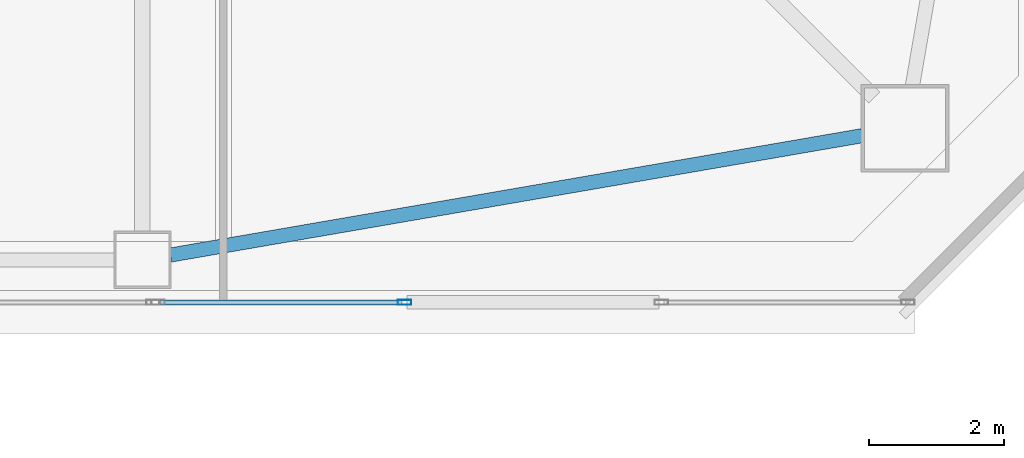
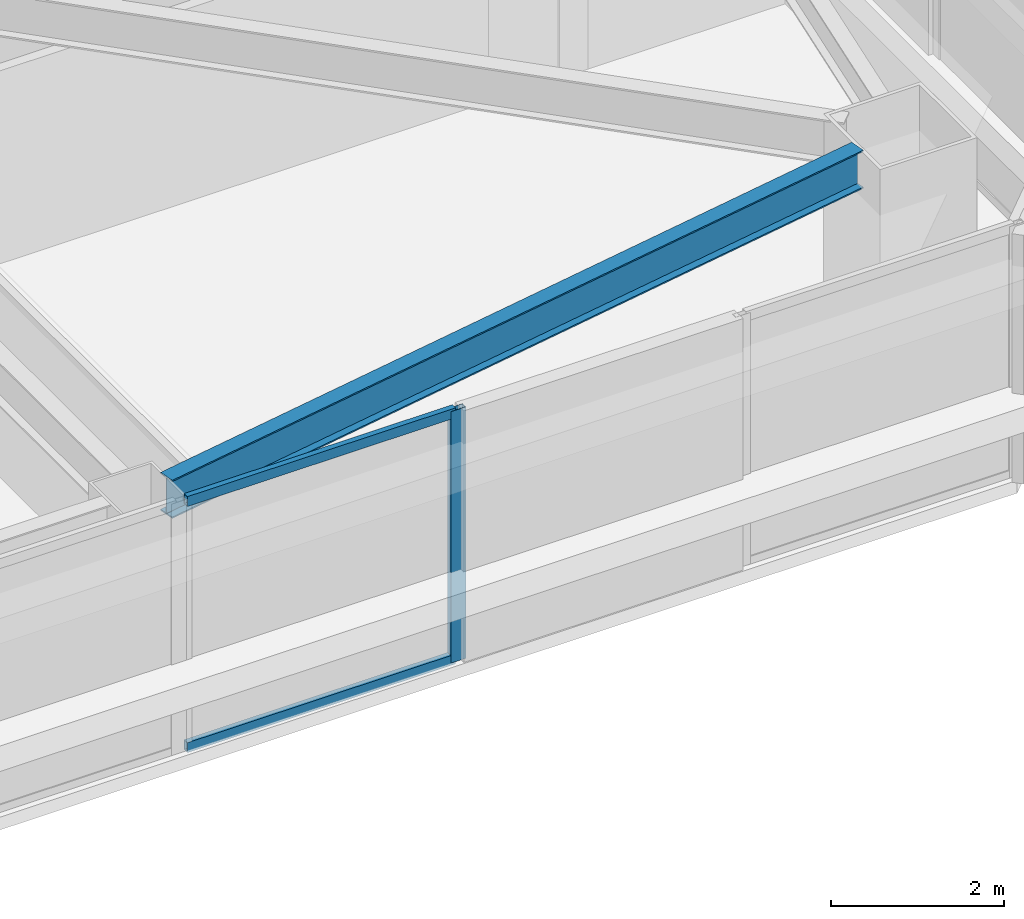
# One storey, part 6 of 46: 3 members, 1 beam, 1 element without a shape of its own.
"""IFC4 building model written with IfcOpenShell, lengths in metres."""

import ifcopenshell
import ifcopenshell.guid

model = None  # the IFC model being written
_history = None  # IfcOwnerHistory: only IFC2X3 demands one
_inside = {}  # id of a spatial element -> (the spatial element, [elements in it])
_under = {}  # id of a project, library or spatial element -> (it, [spatial elements below it])
_declared = {}  # id of a project -> (the project, [libraries it declares])
_typed = {}  # id of a type object -> (the type object, [elements of that type])
_made_of = {}  # id of a material, layer set ... -> (it, [elements and type objects made of it])


def new_model(schema):
    """Start an empty IFC model of exactly this schema.

    Asked for "IFC4X3", IfcOpenShell would pick the latest addendum, in which some entities
    have other attributes; the version numbers below select the first issue.
    IFC2X3 requires an IfcOwnerHistory on every rooted entity: one is made here for all.
    """
    global model, _history
    if schema == "IFC4X3":
        model = ifcopenshell.file(schema_version=(4, 3, 0, 0))
    else:
        model = ifcopenshell.file(schema=schema)
    _inside.clear()
    _under.clear()
    _declared.clear()
    _typed.clear()
    _made_of.clear()
    _history = None
    if model.schema == "IFC2X3":
        org = make("IfcOrganization", Name="unknown")
        user = make(
            "IfcPersonAndOrganization",
            ThePerson=make("IfcPerson", FamilyName="unknown"),
            TheOrganization=org,
        )
        app = make(
            "IfcApplication",
            ApplicationDeveloper=org,
            Version="unknown",
            ApplicationFullName="unknown",
            ApplicationIdentifier="unknown",
        )
        _history = make(
            "IfcOwnerHistory",
            OwningUser=user,
            OwningApplication=app,
            ChangeAction="ADDED",
            CreationDate=0,
        )
    return model


def make(cls, **values):
    """One entity of the class cls with the attributes given. An attribute that is None is left unset."""
    return model.create_entity(
        cls, **{name: value for name, value in values.items() if value is not None}
    )


def rooted(cls, **values):
    """An entity with a GlobalId (a new one), such as an element, a storey or a relation."""
    return make(cls, GlobalId=ifcopenshell.guid.new(), OwnerHistory=_history, **values)


def si_unit(unit_type, name, prefix=None):
    """IfcSIUnit, for example si_unit("LENGTHUNIT", "METRE", prefix="MILLI")."""
    return make("IfcSIUnit", UnitType=unit_type, Prefix=prefix, Name=name)


def assignment(units):
    """IfcUnitAssignment: the units of a project."""
    return None if units is None else make("IfcUnitAssignment", Units=units)


def point(xyz):
    """IfcCartesianPoint."""
    return None if xyz is None else make("IfcCartesianPoint", Coordinates=xyz)


def direction(xyz):
    """IfcDirection."""
    return None if xyz is None else make("IfcDirection", DirectionRatios=xyz)


def frame(location, z_axis=None, x_axis=None):
    """IfcAxis2Placement3D, a coordinate frame: its origin and axes. An axis left out is left unset."""
    return make(
        "IfcAxis2Placement3D",
        Location=point(location),
        Axis=direction(z_axis),
        RefDirection=direction(x_axis),
    )


def frame_2d(location, x_axis=None):
    """IfcAxis2Placement2D, a coordinate frame in the plane: its origin and x axis."""
    return make(
        "IfcAxis2Placement2D", Location=point(location), RefDirection=direction(x_axis)
    )


def origin():
    """The frame at (0, 0, 0) with its axes left unset."""
    return frame((0.0, 0.0, 0.0))


def origin_2d():
    """The frame at (0, 0) in the plane with its x axis left unset."""
    return frame_2d((0.0, 0.0))


def place(relative_to, where):
    """IfcLocalPlacement: puts the frame where relative to a parent placement (None: the world)."""
    return make(
        "IfcLocalPlacement", PlacementRelTo=relative_to, RelativePlacement=where
    )


def context(
    kind, dimensions, precision=None, world=None, true_north=None, identifier=None
):
    """IfcGeometricRepresentationContext, for example the 3D "Model" context."""
    return make(
        "IfcGeometricRepresentationContext",
        ContextIdentifier=identifier,
        ContextType=kind,
        CoordinateSpaceDimension=dimensions,
        Precision=precision,
        WorldCoordinateSystem=world,
        TrueNorth=true_north,
    )


def subcontext(parent, identifier, kind, view, scale=None):
    """IfcGeometricRepresentationSubContext, for example "Body" below "Model"."""
    return make(
        "IfcGeometricRepresentationSubContext",
        ContextIdentifier=identifier,
        ContextType=kind,
        ParentContext=parent,
        TargetScale=scale,
        TargetView=view,
    )


def project(units=None, contexts=None):
    """IfcProject with its units and contexts."""
    return rooted(
        "IfcProject",
        Name="project",
        RepresentationContexts=contexts,
        UnitsInContext=assignment(units),
    )


def spatial(cls, under=None, at=None, **own):
    """A site, building, storey or space (cls), placed at a placement, below another one or the project."""
    s = rooted(cls, ObjectPlacement=at, **own)
    if under is not None:
        _under.setdefault(under.id(), (under, []))[1].append(s)
    return s


def profile(cls, at=None, kind="AREA", **sizes):
    """A parametric profile (cls). Its sizes go by their IFC names, for example OverallWidth=200.0."""
    return make(cls, ProfileType=kind, Position=at, **sizes)


def hollow_rectangle(**sizes):
    """IfcRectangleHollowProfileDef."""
    return profile("IfcRectangleHollowProfileDef", **sizes)


def i_section(**sizes):
    """IfcIShapeProfileDef."""
    return profile("IfcIShapeProfileDef", **sizes)


def extrude(swept, where, along, depth):
    """IfcExtrudedAreaSolid: the profile swept, set in the frame where, extruded along a direction by depth."""
    return make(
        "IfcExtrudedAreaSolid",
        SweptArea=swept,
        Position=where,
        ExtrudedDirection=direction(along),
        Depth=depth,
    )


def shape(context_of_items, identifier, shape_type, items):
    """IfcShapeRepresentation: the items that make up one representation, for example the "Body"."""
    return make(
        "IfcShapeRepresentation",
        ContextOfItems=context_of_items,
        RepresentationIdentifier=identifier,
        RepresentationType=shape_type,
        Items=items,
    )


def material(Name=None, Category=None):
    """IfcMaterial."""
    return make("IfcMaterial", Name=Name, Category=Category)


def material_profile(
    of_material, cross_section, Name=None, Category=None, Priority=None
):
    """IfcMaterialProfile: a cross section and its material."""
    return make(
        "IfcMaterialProfile",
        Name=Name,
        Material=of_material,
        Profile=cross_section,
        Priority=Priority,
        Category=Category,
    )


def profile_set(profiles, Name=None, composite=None):
    """IfcMaterialProfileSet."""
    return make(
        "IfcMaterialProfileSet",
        Name=Name,
        MaterialProfiles=profiles,
        CompositeProfile=composite,
    )


def made_of(thing, what):
    """Note that an element or type object is made of a material, layer set ...; save() writes the relation."""
    if what is not None:
        _made_of.setdefault(what.id(), (what, []))[1].append(thing)
    return thing


def type_object(cls, material=None, **own):
    """A type object (cls), such as IfcWallType, which elements share."""
    return made_of(rooted(cls, **own), material)


def element(
    cls,
    number,
    at=None,
    inside=None,
    cuts=None,
    type_object=None,
    material=None,
    context=None,
    identifier="Body",
    shape_type=None,
    held_by="IfcProductDefinitionShape",
    body=None,
    shapes=None,
    **own,
):
    """One element of the class cls, such as IfcWall. Its Tag is "e" and its number.

    at: its placement. inside: the storey or other place that contains it. cuts: it is an
    opening in that element (IfcRelVoidsElement). A single representation is given by context,
    identifier, shape_type and body (its items); several are given by shapes. held_by: the class
    of the entity that holds the representations. save() writes the other relations.
    """
    e = rooted(cls, Tag="e%d" % number, ObjectPlacement=at, **own)
    if body is not None:
        shapes = [shape(context, identifier, shape_type, body)]
    if shapes is not None:
        e.Representation = make(held_by, Representations=shapes)
    if inside is not None:
        _inside.setdefault(inside.id(), (inside, []))[1].append(e)
    if cuts is not None:
        rooted(
            "IfcRelVoidsElement", RelatingBuildingElement=cuts, RelatedOpeningElement=e
        )
    if type_object is not None:
        _typed.setdefault(type_object.id(), (type_object, []))[1].append(e)
    return made_of(e, material)


def aggregate(whole, parts):
    """IfcRelAggregates: a whole, such as a stair, and the parts it consists of."""
    return rooted("IfcRelAggregates", RelatingObject=whole, RelatedObjects=parts)


def save(model, path):
    """Write the relations noted so far, then the file.

    IfcRelAggregates (storeys below a building ...), IfcRelContainedInSpatialStructure (elements
    in a storey), IfcRelDefinesByType, IfcRelAssociatesMaterial and IfcRelDeclares: one each for
    every whole, place, type object, material and project.
    """
    for whole, parts in _under.values():
        aggregate(whole, parts)
    for where, things in _inside.values():
        rooted(
            "IfcRelContainedInSpatialStructure",
            RelatedElements=things,
            RelatingStructure=where,
        )
    for kind, things in _typed.values():
        rooted("IfcRelDefinesByType", RelatedObjects=things, RelatingType=kind)
    for what, things in _made_of.values():
        rooted("IfcRelAssociatesMaterial", RelatedObjects=things, RelatingMaterial=what)
    for by, libraries in _declared.values():
        rooted("IfcRelDeclares", RelatingContext=by, RelatedDefinitions=libraries)
    model.write(path)


model = new_model("IFC4")

# Units and contexts
model_context = context("Model", 3, precision=1e-05, world=origin(), true_north=direction((0.0, 1.0)))
body_context = subcontext(model_context, "Body", "Model", "MODEL_VIEW")
ifc_project = project(units=[si_unit("LENGTHUNIT", "METRE"), si_unit("AREAUNIT", "SQUARE_METRE"), si_unit("VOLUMEUNIT", "CUBIC_METRE"), si_unit("PLANEANGLEUNIT", "RADIAN"), si_unit("MASSUNIT", "GRAM", prefix="KILO")], contexts=[model_context])

# Site, building, storey
site_placement = place(None, origin())
site = spatial("IfcSite", under=ifc_project, at=site_placement, CompositionType="ELEMENT")
building_placement = place(site_placement, origin())
building = spatial("IfcBuilding", under=site, at=building_placement, Name="Tashvorn Skyway Center", CompositionType="ELEMENT")
storey_placement = place(building_placement, frame((0.0, 0.0, 139.25)))
storey = spatial("IfcBuildingStorey", under=building, at=storey_placement, Name="L37", CompositionType="ELEMENT", Elevation=139.25)

# Beam
ifc_material_1 = material(Name="Steel ASTM A992 Grade 50", Category="steel")
ifc_material_profile_1 = material_profile(ifc_material_1, i_section(OverallWidth=0.2109375, OverallDepth=0.5390625, WebThickness=0.01171875, FlangeThickness=0.018798828125, at=origin_2d()), Name="W21X73")
ifc_profile_set_1 = profile_set([ifc_material_profile_1], Name="Steel ASTM A992 Grade 50")
beam_type = type_object("IfcBeamType", Name="BM-SPANDREL-W21X73", PredefinedType="SPANDREL", material=ifc_profile_set_1)
beam_placement = place(storey_placement, frame((47.81396484375, 13.42138671875, 3.1005859375), z_axis=(0.985432458462, 0.170067250846, 0.0), x_axis=(-0.170067250846, 0.985432458462, 0.0)))
element("IfcBeam", 1, at=beam_placement, inside=storey, type_object=beam_type, Name="Tower 1 L37 Spandrel Beam 03", PredefinedType="SPANDREL", context=body_context, shape_type="SweptSolid", body=[
    extrude(i_section(OverallWidth=0.2109375, OverallDepth=0.5390625, WebThickness=0.01171875, FlangeThickness=0.018798828125, at=origin_2d()), origin(), (0.0, 0.0, 1.0), 10.402099609375),
])

# Curtain wall, members
ifc_material_2 = material(Name="Thermally broken bronze-anodized aluminium 6063-T6", Category="aluminium")
curtain_wall_type = type_object("IfcCurtainWallType", Name="CW-CW-Z3", PredefinedType="NOTDEFINED", material=ifc_material_2)
curtain_wall_placement = place(storey_placement, origin())
curtain_wall = element("IfcCurtainWall", 2, at=curtain_wall_placement, inside=storey, type_object=curtain_wall_type, Name="Tower 1 L37 South Unitised Curtain Wall Glazing Group 2", PredefinedType="NOTDEFINED")
ifc_material_profile_2 = material_profile(ifc_material_2, hollow_rectangle(XDim=0.074951171875, YDim=0.199951171875, WallThickness=0.00439453125, at=origin_2d()), Name="ALU-MULL-75x200")
ifc_profile_set_2 = profile_set([ifc_material_profile_2], Name="Thermally broken bronze-anodized aluminium 6063-T6")
member_type_1 = type_object("IfcMemberType", Name="CWM-CW-Z3", PredefinedType="MULLION", material=ifc_profile_set_2)
member_1_placement = place(storey_placement, frame((51.28466796875, 12.719970703125, 0.0), z_axis=(0.0, 0.0, 1.0), x_axis=(0.0, -1.0, 0.0)))
member_1 = element("IfcMember", 3, at=member_1_placement, type_object=member_type_1, Name="CW-Z3 mullion 1", PredefinedType="MULLION", context=body_context, shape_type="SweptSolid", body=[
    extrude(hollow_rectangle(XDim=0.074951171875, YDim=0.199951171875, WallThickness=0.00439453125, at=origin_2d()), origin(), (0.0, 0.0, 1.0), 3.550048828125),
])
ifc_material_profile_3 = material_profile(ifc_material_2, hollow_rectangle(XDim=0.074951171875, YDim=0.139892578125, WallThickness=0.004150390625, at=origin_2d()), Name="ALU-TRAN-75x140")
ifc_profile_set_3 = profile_set([ifc_material_profile_3], Name="Thermally broken bronze-anodized aluminium 6063-T6")
member_type_2 = type_object("IfcMemberType", Name="CWT-CW-Z3", PredefinedType="USERDEFINED", material=ifc_profile_set_3)
member_2_placement = place(storey_placement, frame((51.247314453125, 12.719970703125, 0.03759765625), z_axis=(-1.0, 0.0, 0.0), x_axis=(0.0, -1.0, 0.0)))
member_2 = element("IfcMember", 4, at=member_2_placement, type_object=member_type_2, Name="CW-Z3 transom 1.1", ObjectType="TRANSOM", PredefinedType="USERDEFINED", context=body_context, shape_type="SweptSolid", body=[
    extrude(hollow_rectangle(XDim=0.074951171875, YDim=0.139892578125, WallThickness=0.004150390625, at=origin_2d()), origin(), (0.0, 0.0, 1.0), 3.5791015625),
])
member_3_placement = place(storey_placement, frame((51.247314453125, 12.719970703125, 3.512451171875), z_axis=(-1.0, 0.0, 0.0), x_axis=(0.0, -1.0, 0.0)))
member_3 = element("IfcMember", 5, at=member_3_placement, type_object=member_type_2, Name="CW-Z3 transom 1.2", ObjectType="TRANSOM", PredefinedType="USERDEFINED", context=body_context, shape_type="SweptSolid", body=[
    extrude(hollow_rectangle(XDim=0.074951171875, YDim=0.139892578125, WallThickness=0.004150390625, at=origin_2d()), origin(), (0.0, 0.0, 1.0), 3.5791015625),
])
aggregate(curtain_wall, [member_1, member_2, member_3])

save(model, "model.ifc")
